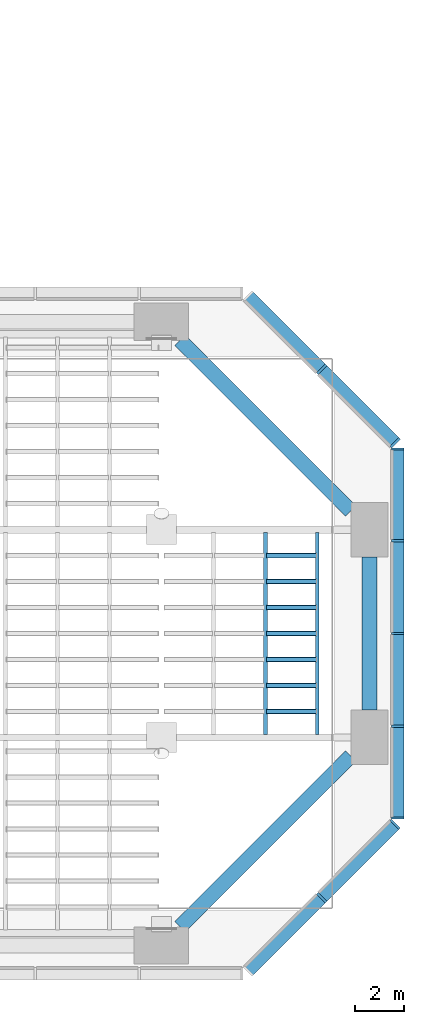
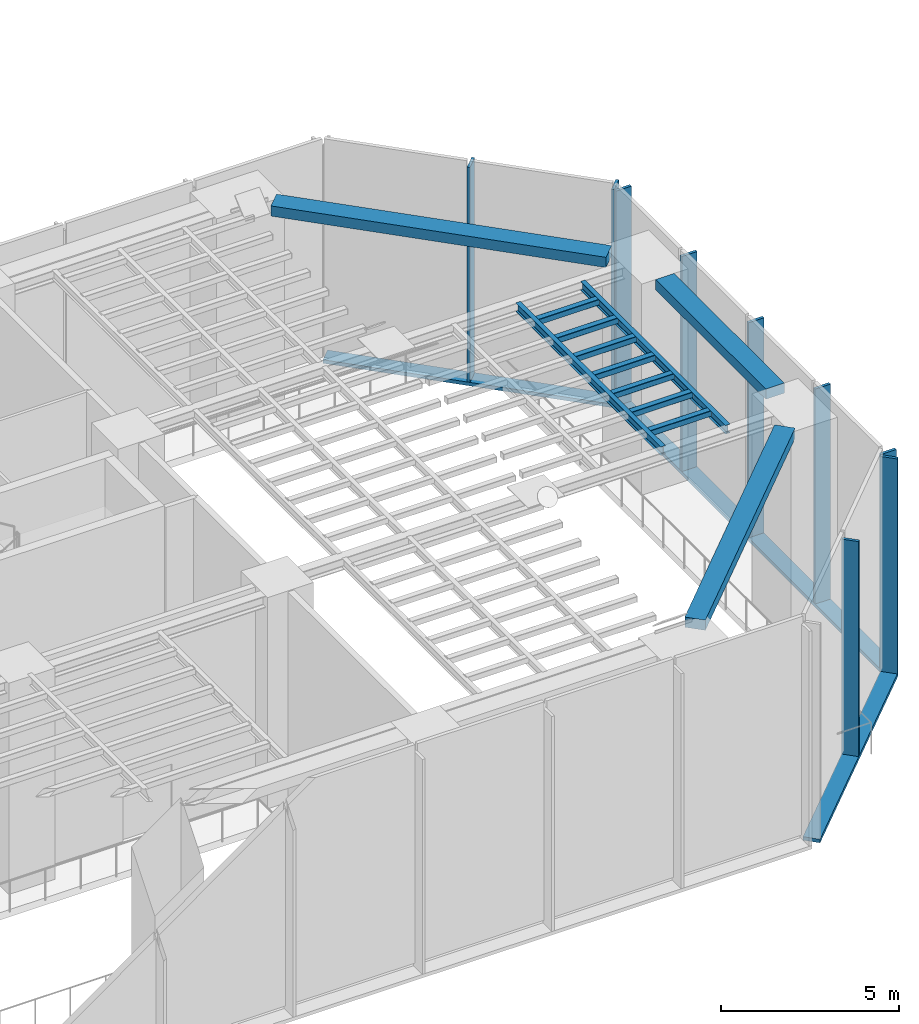
# One storey, part 6 of 22: 12 beams, 12 members, 3 elements without a shape of their own.
"""IFC4 building model written with IfcOpenShell, lengths in metres."""

from ifc_helpers import new_model, si_unit, direction, frame, origin, origin_2d, place, context, subcontext, project, spatial, rectangle, hollow_rectangle, i_section, extrude, material, material_profile, profile_set, type_object, element, aggregate, save


model = new_model("IFC4")

# Units and contexts
model_context = context("Model", 3, precision=1e-05, world=origin(), true_north=direction((0.0, 1.0)))
body_context = subcontext(model_context, "Body", "Model", "MODEL_VIEW")
ifc_project = project(units=[si_unit("LENGTHUNIT", "METRE"), si_unit("AREAUNIT", "SQUARE_METRE"), si_unit("VOLUMEUNIT", "CUBIC_METRE"), si_unit("PLANEANGLEUNIT", "RADIAN"), si_unit("MASSUNIT", "GRAM", prefix="KILO")], contexts=[model_context])

# Site, building, storey
site_placement = place(None, origin())
site = spatial("IfcSite", under=ifc_project, at=site_placement, CompositionType="ELEMENT")
building_placement = place(site_placement, origin())
building = spatial("IfcBuilding", under=site, at=building_placement, Name="Brevane Broadcast Tower", CompositionType="ELEMENT")
storey_placement = place(building_placement, frame((0.0, 0.0, 20.0)))
storey = spatial("IfcBuildingStorey", under=building, at=storey_placement, Name="L03", CompositionType="ELEMENT", Elevation=20.0)

# Curtain wall, members
ifc_material_1 = material(Name="Aluminium 6063-T6 bronze anodised", Category="aluminium")
curtain_wall_type = type_object("IfcCurtainWallType", Name="CW-2 curtain wall", PredefinedType="NOTDEFINED", material=ifc_material_1)
curtain_wall_1_placement = place(storey_placement, origin())
curtain_wall_1 = element("IfcCurtainWall", 1, at=curtain_wall_1_placement, inside=storey, type_object=curtain_wall_type, Name="CW-2 podium base unit L03 south-east chamfer", PredefinedType="NOTDEFINED")
ifc_material_profile_1 = material_profile(ifc_material_1, rectangle(XDim=0.5, YDim=0.090087890625, at=origin_2d()), Name="RECT 90x500")
ifc_profile_set_1 = profile_set([ifc_material_profile_1], Name="Aluminium 6063-T6 bronze anodised")
member_type_1 = type_object("IfcMemberType", Name="CW-2 mullion 90x500", PredefinedType="MULLION", material=ifc_profile_set_1)
member_1_placement = place(storey_placement, frame((65.27685546875, 1.92333984375, -0.1298828125), z_axis=(0.0, 0.0, 1.0), x_axis=(-0.707106781187, 0.707106781187, 0.0)))
member_1 = element("IfcMember", 2, at=member_1_placement, type_object=member_type_1, Name="CW-2 mullion", PredefinedType="MULLION", context=body_context, shape_type="SweptSolid", body=[
    extrude(rectangle(XDim=0.5, YDim=0.090087890625, at=origin_2d()), origin(), (0.0, 0.0, 1.0), 7.3798828125),
])
member_2_placement = place(storey_placement, frame((68.244873046875, 4.891357421875, -0.1298828125), z_axis=(0.0, 0.0, 1.0), x_axis=(-0.707106781187, 0.707106781187, 0.0)))
member_2 = element("IfcMember", 3, at=member_2_placement, type_object=member_type_1, Name="CW-2 mullion", PredefinedType="MULLION", context=body_context, shape_type="SweptSolid", body=[
    extrude(rectangle(XDim=0.5, YDim=0.090087890625, at=origin_2d()), origin(), (0.0, 0.0, 1.0), 7.3798828125),
])

curtain_wall_2_placement = place(storey_placement, origin())
curtain_wall_2 = element("IfcCurtainWall", 4, at=curtain_wall_2_placement, inside=storey, type_object=curtain_wall_type, Name="CW-2 podium base unit L03 east end", PredefinedType="NOTDEFINED")
member_3_placement = place(storey_placement, frame((68.35009765625, 5.14501953125, -0.1298828125), z_axis=(0.0, 0.0, 1.0), x_axis=(-1.0, 0.0, 0.0)))
member_3 = element("IfcMember", 5, at=member_3_placement, type_object=member_type_1, Name="CW-2 mullion", PredefinedType="MULLION", context=body_context, shape_type="SweptSolid", body=[
    extrude(rectangle(XDim=0.5, YDim=0.090087890625, at=origin_2d()), origin(), (0.0, 0.0, 1.0), 7.3798828125),
])
member_4_placement = place(storey_placement, frame((68.35009765625, 8.85009765625, -0.1298828125), z_axis=(0.0, 0.0, 1.0), x_axis=(-1.0, 0.0, 0.0)))
member_4 = element("IfcMember", 6, at=member_4_placement, type_object=member_type_1, Name="CW-2 mullion", PredefinedType="MULLION", context=body_context, shape_type="SweptSolid", body=[
    extrude(rectangle(XDim=0.5, YDim=0.090087890625, at=origin_2d()), origin(), (0.0, 0.0, 1.0), 7.3798828125),
])
member_5_placement = place(storey_placement, frame((68.35009765625, 12.60009765625, -0.1298828125), z_axis=(0.0, 0.0, 1.0), x_axis=(-1.0, 0.0, 0.0)))
member_5 = element("IfcMember", 7, at=member_5_placement, type_object=member_type_1, Name="CW-2 mullion", PredefinedType="MULLION", context=body_context, shape_type="SweptSolid", body=[
    extrude(rectangle(XDim=0.5, YDim=0.090087890625, at=origin_2d()), origin(), (0.0, 0.0, 1.0), 7.3798828125),
])
member_6_placement = place(storey_placement, frame((68.35009765625, 16.35009765625, -0.1298828125), z_axis=(0.0, 0.0, 1.0), x_axis=(-1.0, 0.0, 0.0)))
member_6 = element("IfcMember", 8, at=member_6_placement, type_object=member_type_1, Name="CW-2 mullion", PredefinedType="MULLION", context=body_context, shape_type="SweptSolid", body=[
    extrude(rectangle(XDim=0.5, YDim=0.090087890625, at=origin_2d()), origin(), (0.0, 0.0, 1.0), 7.3798828125),
])
member_7_placement = place(storey_placement, frame((68.35009765625, 20.054931640625, -0.1298828125), z_axis=(0.0, 0.0, 1.0), x_axis=(-1.0, 0.0, 0.0)))
member_7 = element("IfcMember", 9, at=member_7_placement, type_object=member_type_1, Name="CW-2 mullion", PredefinedType="MULLION", context=body_context, shape_type="SweptSolid", body=[
    extrude(rectangle(XDim=0.5, YDim=0.090087890625, at=origin_2d()), origin(), (0.0, 0.0, 1.0), 7.3798828125),
])

curtain_wall_3_placement = place(storey_placement, origin())
curtain_wall_3 = element("IfcCurtainWall", 10, at=curtain_wall_3_placement, inside=storey, type_object=curtain_wall_type, Name="CW-2 podium base unit L03 north-east chamfer", PredefinedType="NOTDEFINED")
member_8_placement = place(storey_placement, frame((68.244873046875, 20.30859375, -0.1298828125), z_axis=(0.0, 0.0, 1.0), x_axis=(-0.707106781187, -0.707106781187, 0.0)))
member_8 = element("IfcMember", 11, at=member_8_placement, type_object=member_type_1, Name="CW-2 mullion", PredefinedType="MULLION", context=body_context, shape_type="SweptSolid", body=[
    extrude(rectangle(XDim=0.5, YDim=0.090087890625, at=origin_2d()), origin(), (0.0, 0.0, 1.0), 7.3798828125),
])
member_9_placement = place(storey_placement, frame((65.27685546875, 23.27685546875, -0.1298828125), z_axis=(0.0, 0.0, 1.0), x_axis=(-0.707106781187, -0.707106781187, 0.0)))
member_9 = element("IfcMember", 12, at=member_9_placement, type_object=member_type_1, Name="CW-2 mullion", PredefinedType="MULLION", context=body_context, shape_type="SweptSolid", body=[
    extrude(rectangle(XDim=0.5, YDim=0.090087890625, at=origin_2d()), origin(), (0.0, 0.0, 1.0), 7.3798828125),
])

# Member
ifc_material_profile_2 = material_profile(ifc_material_1, rectangle(XDim=0.5, YDim=0.1201171875, at=origin_2d()), Name="RECT 120x500")
ifc_profile_set_2 = profile_set([ifc_material_profile_2], Name="Aluminium 6063-T6 bronze anodised")
member_type_2 = type_object("IfcMemberType", Name="CW-2 transom 120x500", PredefinedType="USERDEFINED", material=ifc_profile_set_2)
member_10_placement = place(storey_placement, frame((62.27685546875, -1.07666015625, -0.18994140625), z_axis=(0.707106781187, 0.707106781187, 0.0), x_axis=(-0.707106781187, 0.707106781187, 0.0)))
member_10 = element("IfcMember", 13, at=member_10_placement, type_object=member_type_2, Name="CW-2 transom", ObjectType="TRANSOM", PredefinedType="USERDEFINED", context=body_context, shape_type="SweptSolid", body=[
    extrude(rectangle(XDim=0.5, YDim=0.1201171875, at=origin_2d()), origin(), (0.0, 0.0, 1.0), 8.4853515625),
])

aggregate(curtain_wall_1, [member_1, member_2, member_10])

member_11_placement = place(storey_placement, frame((68.35009765625, 5.10009765625, -0.18994140625), z_axis=(0.0, 1.0, 0.0), x_axis=(-1.0, 0.0, 0.0)))
member_11 = element("IfcMember", 14, at=member_11_placement, type_object=member_type_2, Name="CW-2 transom", ObjectType="TRANSOM", PredefinedType="USERDEFINED", context=body_context, shape_type="SweptSolid", body=[
    extrude(rectangle(XDim=0.5, YDim=0.1201171875, at=origin_2d()), origin(), (0.0, 0.0, 1.0), 15.0),
])

aggregate(curtain_wall_2, [member_3, member_4, member_5, member_6, member_7, member_11])

member_12_placement = place(storey_placement, frame((68.27685546875, 20.27685546875, -0.18994140625), z_axis=(-0.707106781187, 0.707106781187, 0.0), x_axis=(-0.707106781187, -0.707106781187, 0.0)))
member_12 = element("IfcMember", 15, at=member_12_placement, type_object=member_type_2, Name="CW-2 transom", ObjectType="TRANSOM", PredefinedType="USERDEFINED", context=body_context, shape_type="SweptSolid", body=[
    extrude(rectangle(XDim=0.5, YDim=0.1201171875, at=origin_2d()), origin(), (0.0, 0.0, 1.0), 8.4853515625),
])

aggregate(curtain_wall_3, [member_8, member_9, member_12])

# Beams
ifc_material_2 = material(Name="Concrete C40/50", Category="concrete")
ifc_material_profile_3 = material_profile(ifc_material_2, rectangle(XDim=0.60009765625, YDim=0.35009765625, at=origin_2d()), Name="RC 600x350")
ifc_profile_set_3 = profile_set([ifc_material_profile_3], Name="Concrete C40/50")
beam_type_1 = type_object("IfcBeamType", Name="RC SPANDREL BEAM 600x350 C40/50", PredefinedType="SPANDREL", material=ifc_profile_set_3)
beam_1_placement = place(storey_placement, frame((59.550048828125, 0.75, 7.074951171875), z_axis=(0.707106781187, 0.707106781187, 0.0), x_axis=(-0.707106781187, 0.707106781187, 0.0)))
element("IfcBeam", 16, at=beam_1_placement, inside=storey, type_object=beam_type_1, Name="EB1 L03-5", PredefinedType="SPANDREL", context=body_context, shape_type="SweptSolid", body=[
    extrude(rectangle(XDim=0.60009765625, YDim=0.35009765625, at=origin_2d()), origin(), (0.0, 0.0, 1.0), 9.758056640625),
])
beam_2_placement = place(storey_placement, frame((67.199951171875, 9.5, 7.074951171875), z_axis=(0.0, 1.0, 0.0), x_axis=(-1.0, 0.0, 0.0)))
element("IfcBeam", 17, at=beam_2_placement, inside=storey, type_object=beam_type_1, Name="EB1 L03-6", PredefinedType="SPANDREL", context=body_context, shape_type="SweptSolid", body=[
    extrude(rectangle(XDim=0.60009765625, YDim=0.35009765625, at=origin_2d()), origin(), (0.0, 0.0, 1.0), 6.199951171875),
])
beam_3_placement = place(storey_placement, frame((66.449951171875, 17.550048828125, 7.074951171875), z_axis=(-0.707106781187, 0.707106781187, 0.0), x_axis=(-0.707106781187, -0.707106781187, 0.0)))
element("IfcBeam", 18, at=beam_3_placement, inside=storey, type_object=beam_type_1, Name="EB1 L03-7", PredefinedType="SPANDREL", context=body_context, shape_type="SweptSolid", body=[
    extrude(rectangle(XDim=0.60009765625, YDim=0.35009765625, at=origin_2d()), origin(), (0.0, 0.0, 1.0), 9.758056640625),
])
ifc_material_3 = material(Name="Steel S355", Category="steel")
ifc_material_profile_4 = material_profile(ifc_material_3, hollow_rectangle(XDim=0.199951171875, YDim=0.199951171875, WallThickness=0.010009765625, InnerFilletRadius=0.010009765625, OuterFilletRadius=0.02001953125, at=origin_2d()), Name="RHS 200x200x10")
ifc_profile_set_4 = profile_set([ifc_material_profile_4], Name="Steel S355")
beam_type_2 = type_object("IfcBeamType", Name="STEEL RIGGING BATTEN RHS 200x200x10 S355", PredefinedType="BEAM", material=ifc_profile_set_4)
for number, where, z_axis, x_axis, name in (
    (19, (65.054931640625, 9.449951171875, 7.14990234375), (-1.0, 0.0, 0.0), (0.0, -1.0, 0.0), "RG3 E22"),
    (20, (65.054931640625, 10.5, 7.14990234375), (-1.0, 0.0, 0.0), (0.0, -1.0, 0.0), "RG3 E25"),
    (21, (65.054931640625, 11.550048828125, 7.14990234375), (-1.0, 0.0, 0.0), (0.0, -1.0, 0.0), "RG3 E28"),
    (22, (65.054931640625, 12.60009765625, 7.14990234375), (-1.0, 0.0, 0.0), (0.0, -1.0, 0.0), "RG3 E31"),
    (23, (65.054931640625, 13.64990234375, 7.14990234375), (-1.0, 0.0, 0.0), (0.0, -1.0, 0.0), "RG3 E34"),
    (24, (65.054931640625, 14.699951171875, 7.14990234375), (-1.0, 0.0, 0.0), (0.0, -1.0, 0.0), "RG3 E37"),
    (25, (65.054931640625, 15.75, 7.14990234375), (-1.0, 0.0, 0.0), (0.0, -1.0, 0.0), "RG3 E40"),
):
    element("IfcBeam", number, at=place(storey_placement, frame(where, z_axis=z_axis, x_axis=x_axis)), inside=storey, type_object=beam_type_2, Name=name, PredefinedType="BEAM", context=body_context, shape_type="SweptSolid", body=[
        extrude(hollow_rectangle(XDim=0.199951171875, YDim=0.199951171875, WallThickness=0.010009765625, InnerFilletRadius=0.010009765625, OuterFilletRadius=0.02001953125, at=origin_2d()), origin(), (0.0, 0.0, 1.0), 2.010009765625),
    ])
ifc_material_profile_5 = material_profile(ifc_material_3, i_section(OverallWidth=0.14990234375, OverallDepth=0.300048828125, WebThickness=0.007080078125, FlangeThickness=0.0107421875, FilletRadius=0.014892578125, at=origin_2d()), Name="IPE 300")
ifc_profile_set_5 = profile_set([ifc_material_profile_5], Name="Steel S355")
beam_type_3 = type_object("IfcBeamType", Name="STEEL RIGGING CROSS GIRDER IPE 300 S355", PredefinedType="BEAM", material=ifc_profile_set_5)
for number, where, z_axis, x_axis, name in (
    (26, (65.10009765625, 8.52001953125, 7.10009765625), (0.0, 1.0, 0.0), (-1.0, 0.0, 0.0), "RG2 E4"),
    (27, (63.0, 8.52001953125, 7.10009765625), (0.0, 1.0, 0.0), (-1.0, 0.0, 0.0), "RG2 E5"),
):
    element("IfcBeam", number, at=place(storey_placement, frame(where, z_axis=z_axis, x_axis=x_axis)), inside=storey, type_object=beam_type_3, Name=name, PredefinedType="BEAM", context=body_context, shape_type="SweptSolid", body=[
        extrude(i_section(OverallWidth=0.14990234375, OverallDepth=0.300048828125, WebThickness=0.007080078125, FlangeThickness=0.0107421875, FilletRadius=0.014892578125, at=origin_2d()), origin(), (0.0, 0.0, 1.0), 8.159912109375),
    ])

save(model, "model.ifc")
